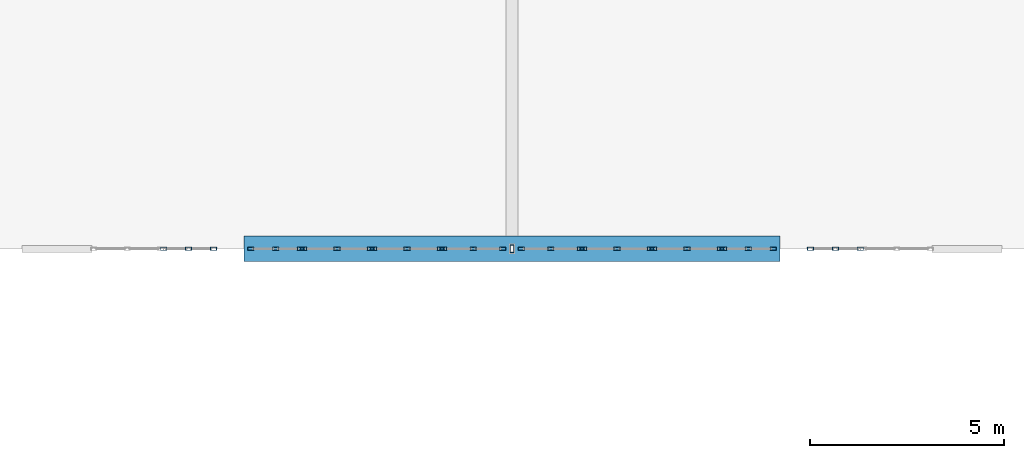
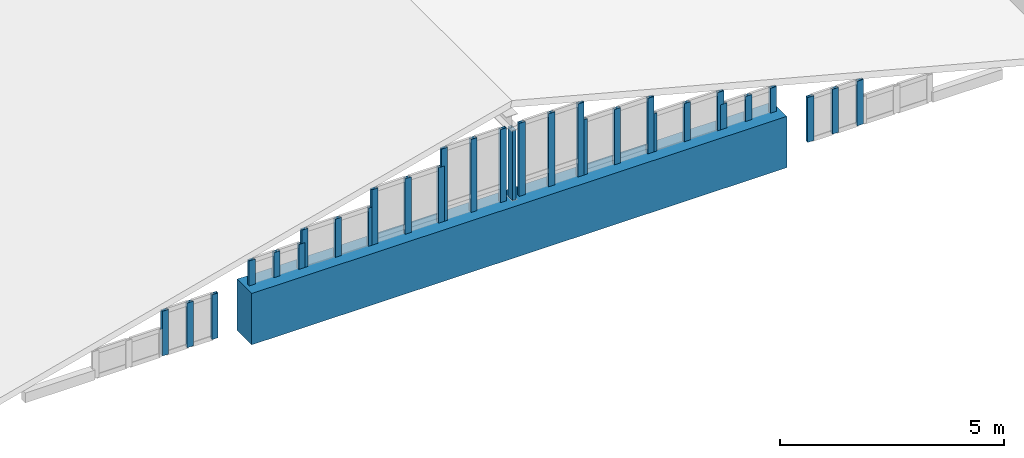
# One storey, part 5 of 76: 31 members, 1 beam, 10 elements without a shape of their own.
"""IFC4 building model written with IfcOpenShell, lengths in metres."""

from ifc_helpers import new_model, si_unit, direction, frame, origin, origin_2d, place, context, subcontext, project, spatial, rectangle, hollow_rectangle, extrude, material, layer, layer_set, material_profile, profile_set, type_object, element, aggregate, save


model = new_model("IFC4")

# Units and contexts
model_context = context("Model", 3, precision=1e-05, world=origin(), true_north=direction((0.0, 1.0)))
body_context = subcontext(model_context, "Body", "Model", "MODEL_VIEW")
ifc_project = project(units=[si_unit("LENGTHUNIT", "METRE"), si_unit("AREAUNIT", "SQUARE_METRE"), si_unit("VOLUMEUNIT", "CUBIC_METRE"), si_unit("PLANEANGLEUNIT", "RADIAN"), si_unit("MASSUNIT", "GRAM", prefix="KILO"), si_unit("THERMODYNAMICTEMPERATUREUNIT", "KELVIN"), si_unit("POWERUNIT", "WATT")], contexts=[model_context])

# Site, building, storey
site_placement = place(None, origin())
site = spatial("IfcSite", under=ifc_project, at=site_placement, CompositionType="ELEMENT")
building_placement = place(site_placement, origin())
building = spatial("IfcBuilding", under=site, at=building_placement, Name="Kaldorven Railside Theatre", CompositionType="ELEMENT")
storey_placement = place(building_placement, frame((0.0, 0.0, 14.39990234375)))
storey = spatial("IfcBuildingStorey", under=building, at=storey_placement, Name="L03", CompositionType="ELEMENT", Elevation=14.39990234375)

# Beam
ifc_material_1 = material(Name="Concrete C40/50", Category="concrete")
ifc_material_profile_1 = material_profile(ifc_material_1, rectangle(XDim=0.64990234375, YDim=1.39990234375, at=origin_2d()), Name="RC 650x1400")
ifc_profile_set_1 = profile_set([ifc_material_profile_1], Name="Concrete C40/50")
beam_type = type_object("IfcBeamType", Name="BM-RC650x1400", PredefinedType="BEAM", material=ifc_profile_set_1)
beam_placement = place(storey_placement, frame((15.5, 19.199951171875, 0.4501953125), z_axis=(1.0, 0.0, 0.0), x_axis=(0.0, 1.0, 0.0)))
element("IfcBeam", 1, at=beam_placement, inside=storey, type_object=beam_type, Name="Studio South Gable Ridge Transfer Girder BG-V3G1", PredefinedType="BEAM", context=body_context, shape_type="SweptSolid", body=[
    extrude(rectangle(XDim=0.64990234375, YDim=1.39990234375, at=origin_2d()), origin(), (0.0, 0.0, 1.0), 13.800048828125),
])

# Curtain wall, members
ifc_material_2 = material(Name="Low-E laminated solar-control glass", Category="glass")
ifc_layer_1 = layer(ifc_material_2, 0.159912109375, Name="Low-E laminated solar-control glass")
ifc_layer_set_1 = layer_set([ifc_layer_1], Name="Low-E laminated solar-control glass")
curtain_wall_type_1 = type_object("IfcCurtainWallType", Name="CWT-61", PredefinedType="USERDEFINED", material=ifc_layer_set_1)
curtain_wall_1_placement = place(storey_placement, origin())
curtain_wall_1 = element("IfcCurtainWall", 2, at=curtain_wall_1_placement, inside=storey, type_object=curtain_wall_type_1, Name="Studio South Gable Clerestory CWG-113", ObjectType="FLUTED GLAZING", PredefinedType="USERDEFINED")
ifc_material_3 = material(Name="Anodised bronze aluminium", Category="aluminium")
ifc_material_profile_2 = material_profile(ifc_material_3, hollow_rectangle(XDim=0.080078125, YDim=0.159912109375, WallThickness=0.00634765625, at=origin_2d()), Name="RHS 160x80x6.3")
ifc_profile_set_2 = profile_set([ifc_material_profile_2], Name="Anodised bronze aluminium")
member_type_1 = type_object("IfcMemberType", Name="CWM-160", PredefinedType="MULLION", material=ifc_profile_set_2)
member_1_placement = place(storey_placement, frame((13.43994140625, 19.199951171875, 0.02001953125), z_axis=(0.0, 0.0, 1.0), x_axis=(0.0, 1.0, 0.0)))
member_1 = element("IfcMember", 3, at=member_1_placement, type_object=member_type_1, Name="CWG-113 mullion 1", PredefinedType="MULLION", context=body_context, shape_type="SweptSolid", body=[
    extrude(hollow_rectangle(XDim=0.080078125, YDim=0.159912109375, WallThickness=0.00634765625, at=origin_2d()), origin(), (0.0, 0.0, 1.0), 1.219970703125),
])
member_2_placement = place(storey_placement, frame((14.080078125, 19.199951171875, 0.02001953125), z_axis=(0.0, 0.0, 1.0), x_axis=(0.0, 1.0, 0.0)))
member_2 = element("IfcMember", 4, at=member_2_placement, type_object=member_type_1, Name="CWG-113 mullion 2", PredefinedType="MULLION", context=body_context, shape_type="SweptSolid", body=[
    extrude(hollow_rectangle(XDim=0.080078125, YDim=0.159912109375, WallThickness=0.00634765625, at=origin_2d()), origin(), (0.0, 0.0, 1.0), 1.219970703125),
])
member_3_placement = place(storey_placement, frame((14.719970703125, 19.199951171875, 0.02001953125), z_axis=(0.0, 0.0, 1.0), x_axis=(0.0, 1.0, 0.0)))
member_3 = element("IfcMember", 5, at=member_3_placement, type_object=member_type_1, Name="CWG-113 mullion 3", PredefinedType="MULLION", context=body_context, shape_type="SweptSolid", body=[
    extrude(hollow_rectangle(XDim=0.080078125, YDim=0.159912109375, WallThickness=0.00634765625, at=origin_2d()), origin(), (0.0, 0.0, 1.0), 1.219970703125),
])
aggregate(curtain_wall_1, [member_1, member_2, member_3])

ifc_layer_2 = layer(ifc_material_2, 0.159912109375, Name="Low-E laminated solar-control glass")
ifc_layer_set_2 = layer_set([ifc_layer_2], Name="Low-E laminated solar-control glass")
curtain_wall_type_2 = type_object("IfcCurtainWallType", Name="CWT-62", PredefinedType="USERDEFINED", material=ifc_layer_set_2)
curtain_wall_2_placement = place(storey_placement, origin())
curtain_wall_2 = element("IfcCurtainWall", 6, at=curtain_wall_2_placement, inside=storey, type_object=curtain_wall_type_2, Name="Studio South Gable Clerestory CWG-114", ObjectType="FLUTED GLAZING", PredefinedType="USERDEFINED")
member_4_placement = place(storey_placement, frame((15.679931640625, 19.199951171875, 0.02001953125), z_axis=(0.0, 0.0, 1.0), x_axis=(0.0, 1.0, 0.0)))
member_4 = element("IfcMember", 7, at=member_4_placement, type_object=member_type_1, Name="CWG-114 mullion 1", PredefinedType="MULLION", context=body_context, shape_type="SweptSolid", body=[
    extrude(hollow_rectangle(XDim=0.080078125, YDim=0.159912109375, WallThickness=0.00634765625, at=origin_2d()), origin(), (0.0, 0.0, 1.0), 1.81005859375),
])
member_5_placement = place(storey_placement, frame((16.320068359375, 19.199951171875, 0.02001953125), z_axis=(0.0, 0.0, 1.0), x_axis=(0.0, 1.0, 0.0)))
member_5 = element("IfcMember", 8, at=member_5_placement, type_object=member_type_1, Name="CWG-114 mullion 2", PredefinedType="MULLION", context=body_context, shape_type="SweptSolid", body=[
    extrude(hollow_rectangle(XDim=0.080078125, YDim=0.159912109375, WallThickness=0.00634765625, at=origin_2d()), origin(), (0.0, 0.0, 1.0), 1.81005859375),
])
member_6_placement = place(storey_placement, frame((16.9599609375, 19.199951171875, 0.02001953125), z_axis=(0.0, 0.0, 1.0), x_axis=(0.0, 1.0, 0.0)))
member_6 = element("IfcMember", 9, at=member_6_placement, type_object=member_type_1, Name="CWG-114 mullion 3", PredefinedType="MULLION", context=body_context, shape_type="SweptSolid", body=[
    extrude(hollow_rectangle(XDim=0.080078125, YDim=0.159912109375, WallThickness=0.00634765625, at=origin_2d()), origin(), (0.0, 0.0, 1.0), 1.81005859375),
])
aggregate(curtain_wall_2, [member_4, member_5, member_6])

ifc_layer_3 = layer(ifc_material_2, 0.159912109375, Name="Low-E laminated solar-control glass")
ifc_layer_set_3 = layer_set([ifc_layer_3], Name="Low-E laminated solar-control glass")
curtain_wall_type_3 = type_object("IfcCurtainWallType", Name="CWT-63", PredefinedType="USERDEFINED", material=ifc_layer_set_3)
curtain_wall_3_placement = place(storey_placement, origin())
curtain_wall_3 = element("IfcCurtainWall", 10, at=curtain_wall_3_placement, inside=storey, type_object=curtain_wall_type_3, Name="Studio South Gable Clerestory CWG-115", ObjectType="FLUTED GLAZING", PredefinedType="USERDEFINED")
member_7_placement = place(storey_placement, frame((17.0400390625, 19.199951171875, 0.02001953125), z_axis=(0.0, 0.0, 1.0), x_axis=(0.0, 1.0, 0.0)))
member_7 = element("IfcMember", 11, at=member_7_placement, type_object=member_type_1, Name="CWG-115 mullion 1", PredefinedType="MULLION", context=body_context, shape_type="SweptSolid", body=[
    extrude(hollow_rectangle(XDim=0.080078125, YDim=0.159912109375, WallThickness=0.00634765625, at=origin_2d()), origin(), (0.0, 0.0, 1.0), 2.170166015625),
])
member_8_placement = place(storey_placement, frame((17.89990234375, 19.199951171875, 0.02001953125), z_axis=(0.0, 0.0, 1.0), x_axis=(0.0, 1.0, 0.0)))
member_8 = element("IfcMember", 12, at=member_8_placement, type_object=member_type_1, Name="CWG-115 mullion 2", PredefinedType="MULLION", context=body_context, shape_type="SweptSolid", body=[
    extrude(hollow_rectangle(XDim=0.080078125, YDim=0.159912109375, WallThickness=0.00634765625, at=origin_2d()), origin(), (0.0, 0.0, 1.0), 2.170166015625),
])
member_9_placement = place(storey_placement, frame((18.760009765625, 19.199951171875, 0.02001953125), z_axis=(0.0, 0.0, 1.0), x_axis=(0.0, 1.0, 0.0)))
member_9 = element("IfcMember", 13, at=member_9_placement, type_object=member_type_1, Name="CWG-115 mullion 3", PredefinedType="MULLION", context=body_context, shape_type="SweptSolid", body=[
    extrude(hollow_rectangle(XDim=0.080078125, YDim=0.159912109375, WallThickness=0.00634765625, at=origin_2d()), origin(), (0.0, 0.0, 1.0), 2.170166015625),
])
aggregate(curtain_wall_3, [member_7, member_8, member_9])

ifc_layer_4 = layer(ifc_material_2, 0.159912109375, Name="Low-E laminated solar-control glass")
ifc_layer_set_4 = layer_set([ifc_layer_4], Name="Low-E laminated solar-control glass")
curtain_wall_type_4 = type_object("IfcCurtainWallType", Name="CWT-64", PredefinedType="USERDEFINED", material=ifc_layer_set_4)
curtain_wall_4_placement = place(storey_placement, origin())
curtain_wall_4 = element("IfcCurtainWall", 14, at=curtain_wall_4_placement, inside=storey, type_object=curtain_wall_type_4, Name="Studio South Gable Clerestory CWG-116", ObjectType="FLUTED GLAZING", PredefinedType="USERDEFINED")
member_10_placement = place(storey_placement, frame((18.840087890625, 19.199951171875, 0.02001953125), z_axis=(0.0, 0.0, 1.0), x_axis=(0.0, 1.0, 0.0)))
member_10 = element("IfcMember", 15, at=member_10_placement, type_object=member_type_1, Name="CWG-116 mullion 1", PredefinedType="MULLION", context=body_context, shape_type="SweptSolid", body=[
    extrude(hollow_rectangle(XDim=0.080078125, YDim=0.159912109375, WallThickness=0.00634765625, at=origin_2d()), origin(), (0.0, 0.0, 1.0), 2.64013671875),
])
member_11_placement = place(storey_placement, frame((19.699951171875, 19.199951171875, 0.02001953125), z_axis=(0.0, 0.0, 1.0), x_axis=(0.0, 1.0, 0.0)))
member_11 = element("IfcMember", 16, at=member_11_placement, type_object=member_type_1, Name="CWG-116 mullion 2", PredefinedType="MULLION", context=body_context, shape_type="SweptSolid", body=[
    extrude(hollow_rectangle(XDim=0.080078125, YDim=0.159912109375, WallThickness=0.00634765625, at=origin_2d()), origin(), (0.0, 0.0, 1.0), 2.64013671875),
])
member_12_placement = place(storey_placement, frame((20.56005859375, 19.199951171875, 0.02001953125), z_axis=(0.0, 0.0, 1.0), x_axis=(0.0, 1.0, 0.0)))
member_12 = element("IfcMember", 17, at=member_12_placement, type_object=member_type_1, Name="CWG-116 mullion 3", PredefinedType="MULLION", context=body_context, shape_type="SweptSolid", body=[
    extrude(hollow_rectangle(XDim=0.080078125, YDim=0.159912109375, WallThickness=0.00634765625, at=origin_2d()), origin(), (0.0, 0.0, 1.0), 2.64013671875),
])
aggregate(curtain_wall_4, [member_10, member_11, member_12])

ifc_layer_5 = layer(ifc_material_2, 0.159912109375, Name="Low-E laminated solar-control glass")
ifc_layer_set_5 = layer_set([ifc_layer_5], Name="Low-E laminated solar-control glass")
curtain_wall_type_5 = type_object("IfcCurtainWallType", Name="CWT-65", PredefinedType="USERDEFINED", material=ifc_layer_set_5)
curtain_wall_5_placement = place(storey_placement, origin())
curtain_wall_5 = element("IfcCurtainWall", 18, at=curtain_wall_5_placement, inside=storey, type_object=curtain_wall_type_5, Name="Studio South Gable Clerestory CWG-117", ObjectType="FLUTED GLAZING", PredefinedType="USERDEFINED")
member_13_placement = place(storey_placement, frame((20.639892578125, 19.199951171875, 0.02001953125), z_axis=(0.0, 0.0, 1.0), x_axis=(0.0, 1.0, 0.0)))
member_13 = element("IfcMember", 19, at=member_13_placement, type_object=member_type_1, Name="CWG-117 mullion 1", PredefinedType="MULLION", context=body_context, shape_type="SweptSolid", body=[
    extrude(hollow_rectangle(XDim=0.080078125, YDim=0.159912109375, WallThickness=0.00634765625, at=origin_2d()), origin(), (0.0, 0.0, 1.0), 3.1201171875),
])
member_14_placement = place(storey_placement, frame((21.39990234375, 19.199951171875, 0.02001953125), z_axis=(0.0, 0.0, 1.0), x_axis=(0.0, 1.0, 0.0)))
member_14 = element("IfcMember", 20, at=member_14_placement, type_object=member_type_1, Name="CWG-117 mullion 2", PredefinedType="MULLION", context=body_context, shape_type="SweptSolid", body=[
    extrude(hollow_rectangle(XDim=0.080078125, YDim=0.159912109375, WallThickness=0.00634765625, at=origin_2d()), origin(), (0.0, 0.0, 1.0), 3.1201171875),
])
member_15_placement = place(storey_placement, frame((22.159912109375, 19.199951171875, 0.02001953125), z_axis=(0.0, 0.0, 1.0), x_axis=(0.0, 1.0, 0.0)))
member_15 = element("IfcMember", 21, at=member_15_placement, type_object=member_type_1, Name="CWG-117 mullion 3", PredefinedType="MULLION", context=body_context, shape_type="SweptSolid", body=[
    extrude(hollow_rectangle(XDim=0.080078125, YDim=0.159912109375, WallThickness=0.00634765625, at=origin_2d()), origin(), (0.0, 0.0, 1.0), 3.1201171875),
])
aggregate(curtain_wall_5, [member_13, member_14, member_15])

curtain_wall_6_placement = place(storey_placement, origin())
curtain_wall_6 = element("IfcCurtainWall", 22, at=curtain_wall_6_placement, inside=storey, type_object=curtain_wall_type_5, Name="Studio South Gable Clerestory CWG-118", ObjectType="FLUTED GLAZING", PredefinedType="USERDEFINED")
member_16_placement = place(storey_placement, frame((22.639892578125, 19.199951171875, 0.02001953125), z_axis=(0.0, 0.0, 1.0), x_axis=(0.0, 1.0, 0.0)))
member_16 = element("IfcMember", 23, at=member_16_placement, type_object=member_type_1, Name="CWG-118 mullion 1", PredefinedType="MULLION", context=body_context, shape_type="SweptSolid", body=[
    extrude(hollow_rectangle(XDim=0.080078125, YDim=0.159912109375, WallThickness=0.00634765625, at=origin_2d()), origin(), (0.0, 0.0, 1.0), 3.1201171875),
])
member_17_placement = place(storey_placement, frame((23.39990234375, 19.199951171875, 0.02001953125), z_axis=(0.0, 0.0, 1.0), x_axis=(0.0, 1.0, 0.0)))
member_17 = element("IfcMember", 24, at=member_17_placement, type_object=member_type_1, Name="CWG-118 mullion 2", PredefinedType="MULLION", context=body_context, shape_type="SweptSolid", body=[
    extrude(hollow_rectangle(XDim=0.080078125, YDim=0.159912109375, WallThickness=0.00634765625, at=origin_2d()), origin(), (0.0, 0.0, 1.0), 3.1201171875),
])
member_18_placement = place(storey_placement, frame((24.159912109375, 19.199951171875, 0.02001953125), z_axis=(0.0, 0.0, 1.0), x_axis=(0.0, 1.0, 0.0)))
member_18 = element("IfcMember", 25, at=member_18_placement, type_object=member_type_1, Name="CWG-118 mullion 3", PredefinedType="MULLION", context=body_context, shape_type="SweptSolid", body=[
    extrude(hollow_rectangle(XDim=0.080078125, YDim=0.159912109375, WallThickness=0.00634765625, at=origin_2d()), origin(), (0.0, 0.0, 1.0), 3.1201171875),
])
aggregate(curtain_wall_6, [member_16, member_17, member_18])

curtain_wall_7_placement = place(storey_placement, origin())
curtain_wall_7 = element("IfcCurtainWall", 26, at=curtain_wall_7_placement, inside=storey, type_object=curtain_wall_type_4, Name="Studio South Gable Clerestory CWG-119", ObjectType="FLUTED GLAZING", PredefinedType="USERDEFINED")
member_19_placement = place(storey_placement, frame((24.239990234375, 19.199951171875, 0.02001953125), z_axis=(0.0, 0.0, 1.0), x_axis=(0.0, 1.0, 0.0)))
member_19 = element("IfcMember", 27, at=member_19_placement, type_object=member_type_1, Name="CWG-119 mullion 1", PredefinedType="MULLION", context=body_context, shape_type="SweptSolid", body=[
    extrude(hollow_rectangle(XDim=0.080078125, YDim=0.159912109375, WallThickness=0.00634765625, at=origin_2d()), origin(), (0.0, 0.0, 1.0), 2.64013671875),
])
member_20_placement = place(storey_placement, frame((25.10009765625, 19.199951171875, 0.02001953125), z_axis=(0.0, 0.0, 1.0), x_axis=(0.0, 1.0, 0.0)))
member_20 = element("IfcMember", 28, at=member_20_placement, type_object=member_type_1, Name="CWG-119 mullion 2", PredefinedType="MULLION", context=body_context, shape_type="SweptSolid", body=[
    extrude(hollow_rectangle(XDim=0.080078125, YDim=0.159912109375, WallThickness=0.00634765625, at=origin_2d()), origin(), (0.0, 0.0, 1.0), 2.64013671875),
])
member_21_placement = place(storey_placement, frame((25.9599609375, 19.199951171875, 0.02001953125), z_axis=(0.0, 0.0, 1.0), x_axis=(0.0, 1.0, 0.0)))
member_21 = element("IfcMember", 29, at=member_21_placement, type_object=member_type_1, Name="CWG-119 mullion 3", PredefinedType="MULLION", context=body_context, shape_type="SweptSolid", body=[
    extrude(hollow_rectangle(XDim=0.080078125, YDim=0.159912109375, WallThickness=0.00634765625, at=origin_2d()), origin(), (0.0, 0.0, 1.0), 2.64013671875),
])
aggregate(curtain_wall_7, [member_19, member_20, member_21])

curtain_wall_8_placement = place(storey_placement, origin())
curtain_wall_8 = element("IfcCurtainWall", 30, at=curtain_wall_8_placement, inside=storey, type_object=curtain_wall_type_3, Name="Studio South Gable Clerestory CWG-120", ObjectType="FLUTED GLAZING", PredefinedType="USERDEFINED")
member_22_placement = place(storey_placement, frame((26.0400390625, 19.199951171875, 0.02001953125), z_axis=(0.0, 0.0, 1.0), x_axis=(0.0, 1.0, 0.0)))
member_22 = element("IfcMember", 31, at=member_22_placement, type_object=member_type_1, Name="CWG-120 mullion 1", PredefinedType="MULLION", context=body_context, shape_type="SweptSolid", body=[
    extrude(hollow_rectangle(XDim=0.080078125, YDim=0.159912109375, WallThickness=0.00634765625, at=origin_2d()), origin(), (0.0, 0.0, 1.0), 2.170166015625),
])
member_23_placement = place(storey_placement, frame((26.89990234375, 19.199951171875, 0.02001953125), z_axis=(0.0, 0.0, 1.0), x_axis=(0.0, 1.0, 0.0)))
member_23 = element("IfcMember", 32, at=member_23_placement, type_object=member_type_1, Name="CWG-120 mullion 2", PredefinedType="MULLION", context=body_context, shape_type="SweptSolid", body=[
    extrude(hollow_rectangle(XDim=0.080078125, YDim=0.159912109375, WallThickness=0.00634765625, at=origin_2d()), origin(), (0.0, 0.0, 1.0), 2.170166015625),
])
member_24_placement = place(storey_placement, frame((27.760009765625, 19.199951171875, 0.02001953125), z_axis=(0.0, 0.0, 1.0), x_axis=(0.0, 1.0, 0.0)))
member_24 = element("IfcMember", 33, at=member_24_placement, type_object=member_type_1, Name="CWG-120 mullion 3", PredefinedType="MULLION", context=body_context, shape_type="SweptSolid", body=[
    extrude(hollow_rectangle(XDim=0.080078125, YDim=0.159912109375, WallThickness=0.00634765625, at=origin_2d()), origin(), (0.0, 0.0, 1.0), 2.170166015625),
])
aggregate(curtain_wall_8, [member_22, member_23, member_24])

curtain_wall_9_placement = place(storey_placement, origin())
curtain_wall_9 = element("IfcCurtainWall", 34, at=curtain_wall_9_placement, inside=storey, type_object=curtain_wall_type_2, Name="Studio South Gable Clerestory CWG-121", ObjectType="FLUTED GLAZING", PredefinedType="USERDEFINED")
member_25_placement = place(storey_placement, frame((27.840087890625, 19.199951171875, 0.02001953125), z_axis=(0.0, 0.0, 1.0), x_axis=(0.0, 1.0, 0.0)))
member_25 = element("IfcMember", 35, at=member_25_placement, type_object=member_type_1, Name="CWG-121 mullion 1", PredefinedType="MULLION", context=body_context, shape_type="SweptSolid", body=[
    extrude(hollow_rectangle(XDim=0.080078125, YDim=0.159912109375, WallThickness=0.00634765625, at=origin_2d()), origin(), (0.0, 0.0, 1.0), 1.81005859375),
])
member_26_placement = place(storey_placement, frame((28.47998046875, 19.199951171875, 0.02001953125), z_axis=(0.0, 0.0, 1.0), x_axis=(0.0, 1.0, 0.0)))
member_26 = element("IfcMember", 36, at=member_26_placement, type_object=member_type_1, Name="CWG-121 mullion 2", PredefinedType="MULLION", context=body_context, shape_type="SweptSolid", body=[
    extrude(hollow_rectangle(XDim=0.080078125, YDim=0.159912109375, WallThickness=0.00634765625, at=origin_2d()), origin(), (0.0, 0.0, 1.0), 1.81005859375),
])
member_27_placement = place(storey_placement, frame((29.1201171875, 19.199951171875, 0.02001953125), z_axis=(0.0, 0.0, 1.0), x_axis=(0.0, 1.0, 0.0)))
member_27 = element("IfcMember", 37, at=member_27_placement, type_object=member_type_1, Name="CWG-121 mullion 3", PredefinedType="MULLION", context=body_context, shape_type="SweptSolid", body=[
    extrude(hollow_rectangle(XDim=0.080078125, YDim=0.159912109375, WallThickness=0.00634765625, at=origin_2d()), origin(), (0.0, 0.0, 1.0), 1.81005859375),
])
aggregate(curtain_wall_9, [member_25, member_26, member_27])

curtain_wall_10_placement = place(storey_placement, origin())
curtain_wall_10 = element("IfcCurtainWall", 38, at=curtain_wall_10_placement, inside=storey, type_object=curtain_wall_type_1, Name="Studio South Gable Clerestory CWG-122", ObjectType="FLUTED GLAZING", PredefinedType="USERDEFINED")
member_28_placement = place(storey_placement, frame((30.080078125, 19.199951171875, 0.02001953125), z_axis=(0.0, 0.0, 1.0), x_axis=(0.0, 1.0, 0.0)))
member_28 = element("IfcMember", 39, at=member_28_placement, type_object=member_type_1, Name="CWG-122 mullion 1", PredefinedType="MULLION", context=body_context, shape_type="SweptSolid", body=[
    extrude(hollow_rectangle(XDim=0.080078125, YDim=0.159912109375, WallThickness=0.00634765625, at=origin_2d()), origin(), (0.0, 0.0, 1.0), 1.219970703125),
])
member_29_placement = place(storey_placement, frame((30.719970703125, 19.199951171875, 0.02001953125), z_axis=(0.0, 0.0, 1.0), x_axis=(0.0, 1.0, 0.0)))
member_29 = element("IfcMember", 40, at=member_29_placement, type_object=member_type_1, Name="CWG-122 mullion 2", PredefinedType="MULLION", context=body_context, shape_type="SweptSolid", body=[
    extrude(hollow_rectangle(XDim=0.080078125, YDim=0.159912109375, WallThickness=0.00634765625, at=origin_2d()), origin(), (0.0, 0.0, 1.0), 1.219970703125),
])
member_30_placement = place(storey_placement, frame((31.360107421875, 19.199951171875, 0.02001953125), z_axis=(0.0, 0.0, 1.0), x_axis=(0.0, 1.0, 0.0)))
member_30 = element("IfcMember", 41, at=member_30_placement, type_object=member_type_1, Name="CWG-122 mullion 3", PredefinedType="MULLION", context=body_context, shape_type="SweptSolid", body=[
    extrude(hollow_rectangle(XDim=0.080078125, YDim=0.159912109375, WallThickness=0.00634765625, at=origin_2d()), origin(), (0.0, 0.0, 1.0), 1.219970703125),
])
aggregate(curtain_wall_10, [member_28, member_29, member_30])

# Member
ifc_material_4 = material(Name="Steel S355", Category="steel")
ifc_material_profile_3 = material_profile(ifc_material_4, hollow_rectangle(XDim=0.10009765625, YDim=0.199951171875, WallThickness=0.008056640625, at=origin_2d()), Name="RHS 200x100x8")
ifc_profile_set_3 = profile_set([ifc_material_profile_3], Name="Steel S355")
member_type_2 = type_object("IfcMemberType", Name="MEM-RHS200", PredefinedType="STRUT", material=ifc_profile_set_3)
member_31_placement = place(storey_placement, frame((22.39990234375, 19.199951171875, 1.150146484375), z_axis=(0.0, 0.0, 1.0), x_axis=(1.0, 0.0, 0.0)))
element("IfcMember", 42, at=member_31_placement, inside=storey, type_object=member_type_2, Name="Studio Pitched Roof Gable Ridge Post", PredefinedType="STRUT", context=body_context, shape_type="SweptSolid", body=[
    extrude(hollow_rectangle(XDim=0.10009765625, YDim=0.199951171875, WallThickness=0.008056640625, at=origin_2d()), origin(), (0.0, 0.0, 1.0), 1.90576171875),
])

save(model, "model.ifc")
